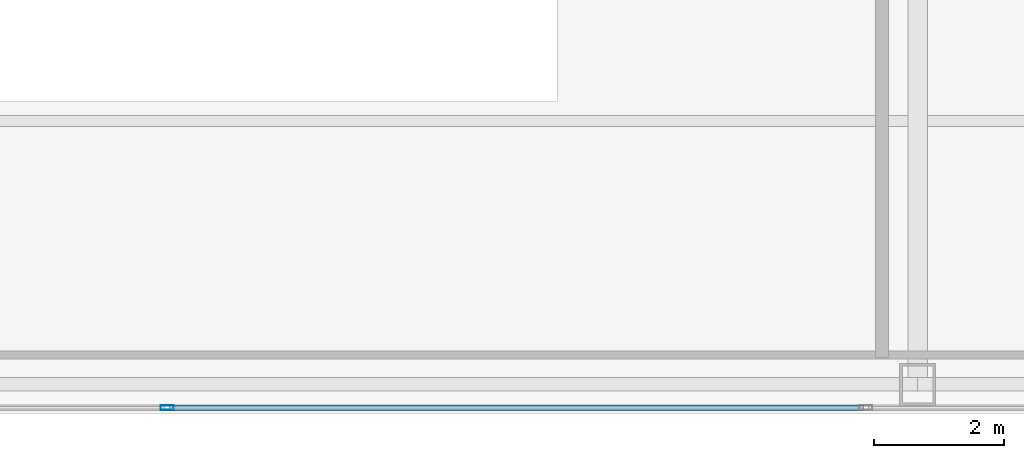
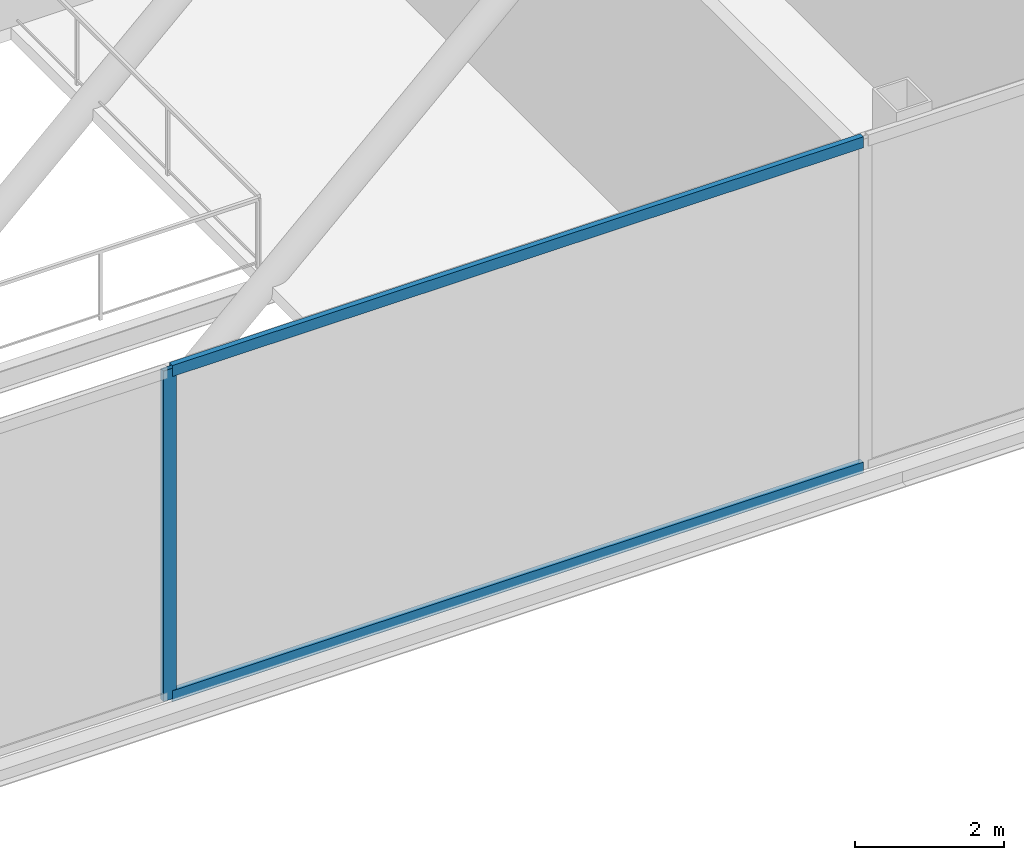
# One storey, part 6 of 23: 3 members, 1 element without a shape of its own.
"""IFC4 building model written with IfcOpenShell, lengths in metres."""

from ifc_helpers import new_model, si_unit, direction, frame, origin, origin_2d, place, context, subcontext, project, spatial, hollow_rectangle, extrude, material, material_profile, profile_set, type_object, element, aggregate, save


model = new_model("IFC4")

# Units and contexts
model_context = context("Model", 3, precision=1e-05, world=origin(), true_north=direction((0.0, 1.0)))
body_context = subcontext(model_context, "Body", "Model", "MODEL_VIEW")
ifc_project = project(units=[si_unit("LENGTHUNIT", "METRE"), si_unit("AREAUNIT", "SQUARE_METRE"), si_unit("VOLUMEUNIT", "CUBIC_METRE"), si_unit("PLANEANGLEUNIT", "RADIAN"), si_unit("MASSUNIT", "GRAM", prefix="KILO")], contexts=[model_context])

# Site, building, storey
site_placement = place(None, origin())
site = spatial("IfcSite", under=ifc_project, at=site_placement, CompositionType="ELEMENT")
building_placement = place(site_placement, origin())
building = spatial("IfcBuilding", under=site, at=building_placement, Name="Khoronbel Lancet Exchange", CompositionType="ELEMENT")
storey_placement = place(building_placement, frame((0.0, 0.0, 356.199951171875)))
storey = spatial("IfcBuildingStorey", under=building, at=storey_placement, Name="L92", CompositionType="ELEMENT", Elevation=356.199951171875)

# Curtain wall, members
ifc_material_1 = material(Name="Low-E Solar Control Insulating Glass", Category="glass")
curtain_wall_type = type_object("IfcCurtainWallType", Name="CW-6", PredefinedType="NOTDEFINED", material=ifc_material_1)
curtain_wall_placement = place(storey_placement, origin())
curtain_wall = element("IfcCurtainWall", 1, at=curtain_wall_placement, inside=storey, type_object=curtain_wall_type, Name="Unitised curtain wall CW-L92-E12", PredefinedType="NOTDEFINED")
ifc_material_2 = material(Name="Bronze-Anodised Aluminium 6063-T6", Category="aluminium")
ifc_material_profile_1 = material_profile(ifc_material_2, hollow_rectangle(XDim=0.074951171875, YDim=0.199951171875, WallThickness=0.0048828125, at=origin_2d()), Name="ALU MULLION 75x200")
ifc_profile_set_1 = profile_set([ifc_material_profile_1], Name="Bronze-Anodised Aluminium 6063-T6")
member_type_1 = type_object("IfcMemberType", Name="MEM-CWM2", PredefinedType="MULLION", material=ifc_profile_set_1)
member_1_placement = place(storey_placement, frame((36.449951171875, 9.7900390625, 0.0), z_axis=(0.0, 0.0, 1.0), x_axis=(0.0, -1.0, 0.0)))
member_1 = element("IfcMember", 2, at=member_1_placement, type_object=member_type_1, Name="CW6 mullion 3", PredefinedType="MULLION", context=body_context, shape_type="SweptSolid", body=[
    extrude(hollow_rectangle(XDim=0.074951171875, YDim=0.199951171875, WallThickness=0.0048828125, at=origin_2d()), origin(), (0.0, 0.0, 1.0), 5.400146484375),
])
ifc_material_profile_2 = material_profile(ifc_material_2, hollow_rectangle(XDim=0.0849609375, YDim=0.179931640625, WallThickness=0.0048828125, at=origin_2d()), Name="ALU TRANSOM 85x180")
ifc_profile_set_2 = profile_set([ifc_material_profile_2], Name="Bronze-Anodised Aluminium 6063-T6")
member_type_2 = type_object("IfcMemberType", Name="MEM-CWT1", PredefinedType="USERDEFINED", material=ifc_profile_set_2)
member_2_placement = place(storey_placement, frame((47.16748046875, 9.7900390625, 0.04248046875), z_axis=(-1.0, 0.0, 0.0), x_axis=(0.0, -1.0, 0.0)))
member_2 = element("IfcMember", 3, at=member_2_placement, type_object=member_type_2, Name="CW6 transom 2.1", ObjectType="TRANSOM", PredefinedType="USERDEFINED", context=body_context, shape_type="SweptSolid", body=[
    extrude(hollow_rectangle(XDim=0.0849609375, YDim=0.179931640625, WallThickness=0.0048828125, at=origin_2d()), origin(), (0.0, 0.0, 1.0), 10.679931640625),
])
member_3_placement = place(storey_placement, frame((47.16748046875, 9.7900390625, 5.357666015625), z_axis=(-1.0, 0.0, 0.0), x_axis=(0.0, -1.0, 0.0)))
member_3 = element("IfcMember", 4, at=member_3_placement, type_object=member_type_2, Name="CW6 transom 2.2", ObjectType="TRANSOM", PredefinedType="USERDEFINED", context=body_context, shape_type="SweptSolid", body=[
    extrude(hollow_rectangle(XDim=0.0849609375, YDim=0.179931640625, WallThickness=0.0048828125, at=origin_2d()), origin(), (0.0, 0.0, 1.0), 10.679931640625),
])
aggregate(curtain_wall, [member_1, member_2, member_3])

save(model, "model.ifc")
